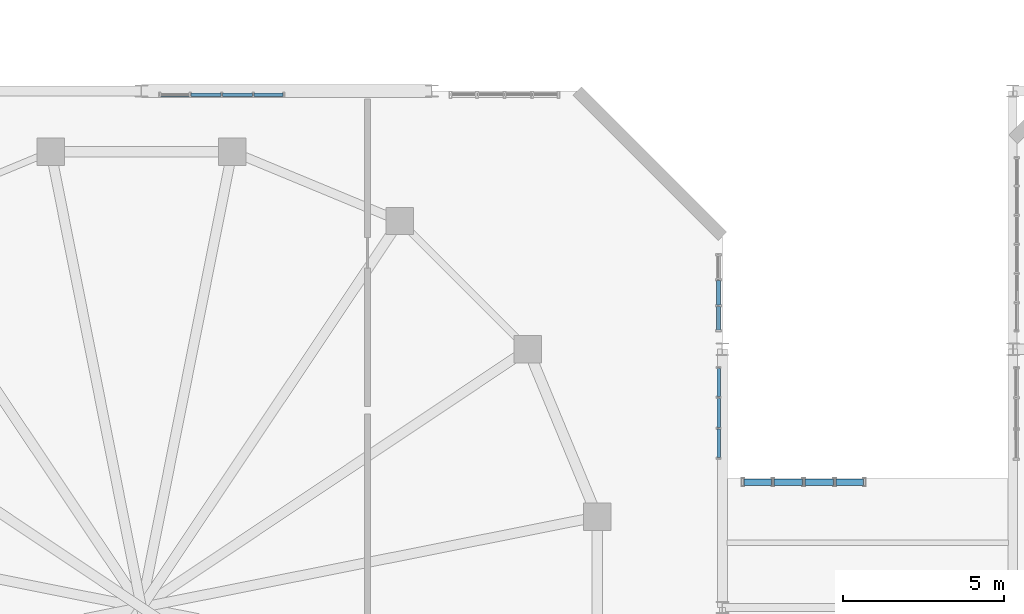
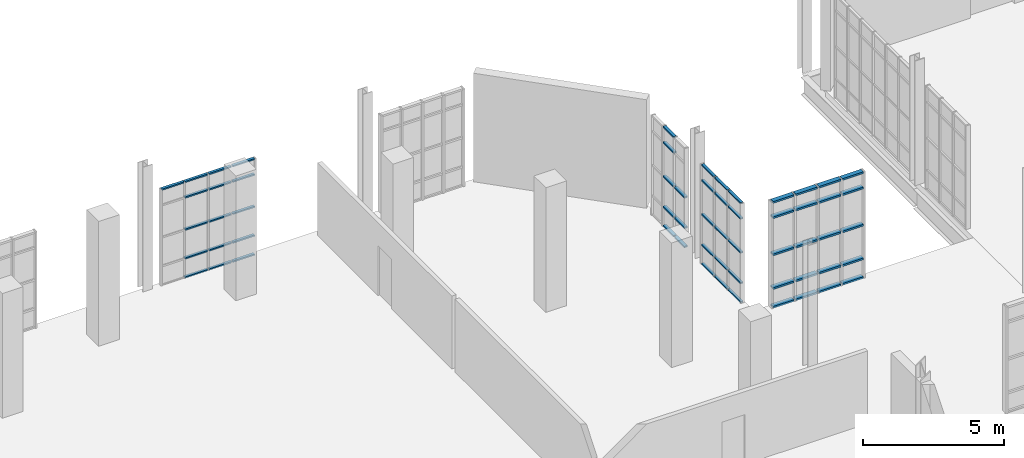
# One storey, part 133 of 189: 59 members, 4 elements without a shape of their own.
"""IFC4 building model written with IfcOpenShell, lengths in metres."""

from ifc_helpers import new_model, si_unit, direction, frame, origin, origin_2d, place, context, subcontext, project, spatial, hollow_rectangle, extrude, material, layer, layer_set, material_profile, profile_set, type_object, element, aggregate, save


model = new_model("IFC4")

# Units and contexts
model_context = context("Model", 3, precision=1e-05, world=origin(), true_north=direction((0.0, 1.0)))
body_context = subcontext(model_context, "Body", "Model", "MODEL_VIEW")
ifc_project = project(units=[si_unit("LENGTHUNIT", "METRE"), si_unit("AREAUNIT", "SQUARE_METRE"), si_unit("VOLUMEUNIT", "CUBIC_METRE"), si_unit("PLANEANGLEUNIT", "RADIAN"), si_unit("MASSUNIT", "GRAM", prefix="KILO"), si_unit("THERMODYNAMICTEMPERATUREUNIT", "KELVIN"), si_unit("POWERUNIT", "WATT")], contexts=[model_context])

# Site, building, storey
site_placement = place(None, origin())
site = spatial("IfcSite", under=ifc_project, at=site_placement, CompositionType="ELEMENT")
building_placement = place(site_placement, origin())
building = spatial("IfcBuilding", under=site, at=building_placement, Name="Zelmaris Science Centre", CompositionType="ELEMENT")
storey_placement = place(building_placement, origin())
storey = spatial("IfcBuildingStorey", under=building, at=storey_placement, Name="L00", CompositionType="ELEMENT", Elevation=0.0)

# Curtain wall, members
ifc_material = material(Name="Anodised architectural aluminium 6063-T6", Category="aluminium")
ifc_layer_1 = layer(ifc_material, 0.219970703125, Name="Anodised architectural aluminium 6063-T6")
ifc_layer_set_1 = layer_set([ifc_layer_1], Name="Anodised architectural aluminium 6063-T6")
curtain_wall_type_1 = type_object("IfcCurtainWallType", Name="Curtain Wall CW-04", PredefinedType="USERDEFINED", material=ifc_layer_set_1)
curtain_wall_1_placement = place(storey_placement, origin())
curtain_wall_1 = element("IfcCurtainWall", 1, at=curtain_wall_1_placement, inside=storey, type_object=curtain_wall_type_1, Name="L00 Unitised curtain wall 20", ObjectType="GLAZED CURTAIN WALL", PredefinedType="USERDEFINED")
ifc_material_profile_1 = material_profile(ifc_material, hollow_rectangle(XDim=0.06005859375, YDim=0.110107421875, WallThickness=0.0029296875, at=origin_2d()), Name="ALU-TRN-60X110")
ifc_profile_set_1 = profile_set([ifc_material_profile_1], Name="Anodised architectural aluminium 6063-T6")
member_type_1 = type_object("IfcMemberType", Name="ALU-TRN-60X110", PredefinedType="USERDEFINED", material=ifc_profile_set_1)
member_1_placement = place(storey_placement, frame((27.592041015625, 87.8798828125, 4.14501953125), z_axis=(1.0, 0.0, 0.0), x_axis=(0.0, 0.0, 1.0)))
member_1 = element("IfcMember", 2, at=member_1_placement, type_object=member_type_1, Name="CW-04 transom 1.5", ObjectType="TRANSOM", PredefinedType="USERDEFINED", context=body_context, shape_type="SweptSolid", body=[
    extrude(hollow_rectangle(XDim=0.06005859375, YDim=0.110107421875, WallThickness=0.0029296875, at=origin_2d()), origin(), (0.0, 0.0, 1.0), 0.89697265625),
])
member_2_placement = place(storey_placement, frame((28.541015625, 87.8798828125, 0.010986328125), z_axis=(1.0, 0.0, 0.0), x_axis=(0.0, 0.0, 1.0)))
member_2 = element("IfcMember", 3, at=member_2_placement, type_object=member_type_1, Name="CW-04 transom 2.1", ObjectType="TRANSOM", PredefinedType="USERDEFINED", context=body_context, shape_type="SweptSolid", body=[
    extrude(hollow_rectangle(XDim=0.06005859375, YDim=0.110107421875, WallThickness=0.0029296875, at=origin_2d()), origin(), (0.0, 0.0, 1.0), 0.923095703125),
])
member_3_placement = place(storey_placement, frame((28.541015625, 87.8798828125, 0.8349609375), z_axis=(1.0, 0.0, 0.0), x_axis=(0.0, 0.0, 1.0)))
member_3 = element("IfcMember", 4, at=member_3_placement, type_object=member_type_1, Name="CW-04 transom 2.2", ObjectType="TRANSOM", PredefinedType="USERDEFINED", context=body_context, shape_type="SweptSolid", body=[
    extrude(hollow_rectangle(XDim=0.06005859375, YDim=0.110107421875, WallThickness=0.0029296875, at=origin_2d()), origin(), (0.0, 0.0, 1.0), 0.923095703125),
])
member_4_placement = place(storey_placement, frame((28.541015625, 87.8798828125, 2.077880859375), z_axis=(1.0, 0.0, 0.0), x_axis=(0.0, 0.0, 1.0)))
member_4 = element("IfcMember", 5, at=member_4_placement, type_object=member_type_1, Name="CW-04 transom 2.3", ObjectType="TRANSOM", PredefinedType="USERDEFINED", context=body_context, shape_type="SweptSolid", body=[
    extrude(hollow_rectangle(XDim=0.06005859375, YDim=0.110107421875, WallThickness=0.0029296875, at=origin_2d()), origin(), (0.0, 0.0, 1.0), 0.923095703125),
])
member_5_placement = place(storey_placement, frame((28.541015625, 87.8798828125, 3.470947265625), z_axis=(1.0, 0.0, 0.0), x_axis=(0.0, 0.0, 1.0)))
member_5 = element("IfcMember", 6, at=member_5_placement, type_object=member_type_1, Name="CW-04 transom 2.4", ObjectType="TRANSOM", PredefinedType="USERDEFINED", context=body_context, shape_type="SweptSolid", body=[
    extrude(hollow_rectangle(XDim=0.06005859375, YDim=0.110107421875, WallThickness=0.0029296875, at=origin_2d()), origin(), (0.0, 0.0, 1.0), 0.923095703125),
])
member_6_placement = place(storey_placement, frame((28.541015625, 87.8798828125, 4.14501953125), z_axis=(1.0, 0.0, 0.0), x_axis=(0.0, 0.0, 1.0)))
member_6 = element("IfcMember", 7, at=member_6_placement, type_object=member_type_1, Name="CW-04 transom 2.5", ObjectType="TRANSOM", PredefinedType="USERDEFINED", context=body_context, shape_type="SweptSolid", body=[
    extrude(hollow_rectangle(XDim=0.06005859375, YDim=0.110107421875, WallThickness=0.0029296875, at=origin_2d()), origin(), (0.0, 0.0, 1.0), 0.923095703125),
])
member_7_placement = place(storey_placement, frame((29.51611328125, 87.8798828125, 0.010986328125), z_axis=(1.0, 0.0, 0.0), x_axis=(0.0, 0.0, 1.0)))
member_7 = element("IfcMember", 8, at=member_7_placement, type_object=member_type_1, Name="CW-04 transom 3.1", ObjectType="TRANSOM", PredefinedType="USERDEFINED", context=body_context, shape_type="SweptSolid", body=[
    extrude(hollow_rectangle(XDim=0.06005859375, YDim=0.110107421875, WallThickness=0.0029296875, at=origin_2d()), origin(), (0.0, 0.0, 1.0), 0.9228515625),
])
member_8_placement = place(storey_placement, frame((29.51611328125, 87.8798828125, 0.8349609375), z_axis=(1.0, 0.0, 0.0), x_axis=(0.0, 0.0, 1.0)))
member_8 = element("IfcMember", 9, at=member_8_placement, type_object=member_type_1, Name="CW-04 transom 3.2", ObjectType="TRANSOM", PredefinedType="USERDEFINED", context=body_context, shape_type="SweptSolid", body=[
    extrude(hollow_rectangle(XDim=0.06005859375, YDim=0.110107421875, WallThickness=0.0029296875, at=origin_2d()), origin(), (0.0, 0.0, 1.0), 0.9228515625),
])
member_9_placement = place(storey_placement, frame((29.51611328125, 87.8798828125, 2.077880859375), z_axis=(1.0, 0.0, 0.0), x_axis=(0.0, 0.0, 1.0)))
member_9 = element("IfcMember", 10, at=member_9_placement, type_object=member_type_1, Name="CW-04 transom 3.3", ObjectType="TRANSOM", PredefinedType="USERDEFINED", context=body_context, shape_type="SweptSolid", body=[
    extrude(hollow_rectangle(XDim=0.06005859375, YDim=0.110107421875, WallThickness=0.0029296875, at=origin_2d()), origin(), (0.0, 0.0, 1.0), 0.9228515625),
])
member_10_placement = place(storey_placement, frame((29.51611328125, 87.8798828125, 3.470947265625), z_axis=(1.0, 0.0, 0.0), x_axis=(0.0, 0.0, 1.0)))
member_10 = element("IfcMember", 11, at=member_10_placement, type_object=member_type_1, Name="CW-04 transom 3.4", ObjectType="TRANSOM", PredefinedType="USERDEFINED", context=body_context, shape_type="SweptSolid", body=[
    extrude(hollow_rectangle(XDim=0.06005859375, YDim=0.110107421875, WallThickness=0.0029296875, at=origin_2d()), origin(), (0.0, 0.0, 1.0), 0.9228515625),
])
member_11_placement = place(storey_placement, frame((29.51611328125, 87.8798828125, 4.14501953125), z_axis=(1.0, 0.0, 0.0), x_axis=(0.0, 0.0, 1.0)))
member_11 = element("IfcMember", 12, at=member_11_placement, type_object=member_type_1, Name="CW-04 transom 3.5", ObjectType="TRANSOM", PredefinedType="USERDEFINED", context=body_context, shape_type="SweptSolid", body=[
    extrude(hollow_rectangle(XDim=0.06005859375, YDim=0.110107421875, WallThickness=0.0029296875, at=origin_2d()), origin(), (0.0, 0.0, 1.0), 0.9228515625),
])
member_12_placement = place(storey_placement, frame((30.490966796875, 87.8798828125, 0.010986328125), z_axis=(1.0, 0.0, 0.0), x_axis=(0.0, 0.0, 1.0)))
member_12 = element("IfcMember", 13, at=member_12_placement, type_object=member_type_1, Name="CW-04 transom 4.1", ObjectType="TRANSOM", PredefinedType="USERDEFINED", context=body_context, shape_type="SweptSolid", body=[
    extrude(hollow_rectangle(XDim=0.06005859375, YDim=0.110107421875, WallThickness=0.0029296875, at=origin_2d()), origin(), (0.0, 0.0, 1.0), 0.89697265625),
])
member_13_placement = place(storey_placement, frame((30.490966796875, 87.8798828125, 0.8349609375), z_axis=(1.0, 0.0, 0.0), x_axis=(0.0, 0.0, 1.0)))
member_13 = element("IfcMember", 14, at=member_13_placement, type_object=member_type_1, Name="CW-04 transom 4.2", ObjectType="TRANSOM", PredefinedType="USERDEFINED", context=body_context, shape_type="SweptSolid", body=[
    extrude(hollow_rectangle(XDim=0.06005859375, YDim=0.110107421875, WallThickness=0.0029296875, at=origin_2d()), origin(), (0.0, 0.0, 1.0), 0.89697265625),
])
member_14_placement = place(storey_placement, frame((30.490966796875, 87.8798828125, 2.077880859375), z_axis=(1.0, 0.0, 0.0), x_axis=(0.0, 0.0, 1.0)))
member_14 = element("IfcMember", 15, at=member_14_placement, type_object=member_type_1, Name="CW-04 transom 4.3", ObjectType="TRANSOM", PredefinedType="USERDEFINED", context=body_context, shape_type="SweptSolid", body=[
    extrude(hollow_rectangle(XDim=0.06005859375, YDim=0.110107421875, WallThickness=0.0029296875, at=origin_2d()), origin(), (0.0, 0.0, 1.0), 0.89697265625),
])
member_15_placement = place(storey_placement, frame((30.490966796875, 87.8798828125, 3.470947265625), z_axis=(1.0, 0.0, 0.0), x_axis=(0.0, 0.0, 1.0)))
member_15 = element("IfcMember", 16, at=member_15_placement, type_object=member_type_1, Name="CW-04 transom 4.4", ObjectType="TRANSOM", PredefinedType="USERDEFINED", context=body_context, shape_type="SweptSolid", body=[
    extrude(hollow_rectangle(XDim=0.06005859375, YDim=0.110107421875, WallThickness=0.0029296875, at=origin_2d()), origin(), (0.0, 0.0, 1.0), 0.89697265625),
])
member_16_placement = place(storey_placement, frame((30.490966796875, 87.8798828125, 4.14501953125), z_axis=(1.0, 0.0, 0.0), x_axis=(0.0, 0.0, 1.0)))
member_16 = element("IfcMember", 17, at=member_16_placement, type_object=member_type_1, Name="CW-04 transom 4.5", ObjectType="TRANSOM", PredefinedType="USERDEFINED", context=body_context, shape_type="SweptSolid", body=[
    extrude(hollow_rectangle(XDim=0.06005859375, YDim=0.110107421875, WallThickness=0.0029296875, at=origin_2d()), origin(), (0.0, 0.0, 1.0), 0.89697265625),
])
aggregate(curtain_wall_1, [member_1, member_2, member_3, member_4, member_5, member_6, member_7, member_8, member_9, member_10, member_11, member_12, member_13, member_14, member_15, member_16])

curtain_wall_2_placement = place(storey_placement, origin())
curtain_wall_2 = element("IfcCurtainWall", 18, at=curtain_wall_2_placement, inside=storey, type_object=curtain_wall_type_1, Name="L00 Unitised curtain wall 24", ObjectType="GLAZED CURTAIN WALL", PredefinedType="USERDEFINED")
member_17_placement = place(storey_placement, frame((44.8798828125, 79.407958984375, 0.010986328125), z_axis=(0.0, -1.0, 0.0), x_axis=(0.0, 0.0, 1.0)))
member_17 = element("IfcMember", 19, at=member_17_placement, type_object=member_type_1, Name="CW-04 transom 1.1", ObjectType="TRANSOM", PredefinedType="USERDEFINED", context=body_context, shape_type="SweptSolid", body=[
    extrude(hollow_rectangle(XDim=0.06005859375, YDim=0.110107421875, WallThickness=0.0029296875, at=origin_2d()), origin(), (0.0, 0.0, 1.0), 0.875244140625),
])
member_18_placement = place(storey_placement, frame((44.8798828125, 79.407958984375, 0.8349609375), z_axis=(0.0, -1.0, 0.0), x_axis=(0.0, 0.0, 1.0)))
member_18 = element("IfcMember", 20, at=member_18_placement, type_object=member_type_1, Name="CW-04 transom 1.2", ObjectType="TRANSOM", PredefinedType="USERDEFINED", context=body_context, shape_type="SweptSolid", body=[
    extrude(hollow_rectangle(XDim=0.06005859375, YDim=0.110107421875, WallThickness=0.0029296875, at=origin_2d()), origin(), (0.0, 0.0, 1.0), 0.875244140625),
])
member_19_placement = place(storey_placement, frame((44.8798828125, 79.407958984375, 2.154052734375), z_axis=(0.0, -1.0, 0.0), x_axis=(0.0, 0.0, 1.0)))
member_19 = element("IfcMember", 21, at=member_19_placement, type_object=member_type_1, Name="CW-04 transom 1.3", ObjectType="TRANSOM", PredefinedType="USERDEFINED", context=body_context, shape_type="SweptSolid", body=[
    extrude(hollow_rectangle(XDim=0.06005859375, YDim=0.110107421875, WallThickness=0.0029296875, at=origin_2d()), origin(), (0.0, 0.0, 1.0), 0.875244140625),
])
member_20_placement = place(storey_placement, frame((44.8798828125, 79.407958984375, 3.623046875), z_axis=(0.0, -1.0, 0.0), x_axis=(0.0, 0.0, 1.0)))
member_20 = element("IfcMember", 22, at=member_20_placement, type_object=member_type_1, Name="CW-04 transom 1.4", ObjectType="TRANSOM", PredefinedType="USERDEFINED", context=body_context, shape_type="SweptSolid", body=[
    extrude(hollow_rectangle(XDim=0.06005859375, YDim=0.110107421875, WallThickness=0.0029296875, at=origin_2d()), origin(), (0.0, 0.0, 1.0), 0.875244140625),
])
member_21_placement = place(storey_placement, frame((44.8798828125, 79.407958984375, 4.297119140625), z_axis=(0.0, -1.0, 0.0), x_axis=(0.0, 0.0, 1.0)))
member_21 = element("IfcMember", 23, at=member_21_placement, type_object=member_type_1, Name="CW-04 transom 1.5", ObjectType="TRANSOM", PredefinedType="USERDEFINED", context=body_context, shape_type="SweptSolid", body=[
    extrude(hollow_rectangle(XDim=0.06005859375, YDim=0.110107421875, WallThickness=0.0029296875, at=origin_2d()), origin(), (0.0, 0.0, 1.0), 0.875244140625),
])
member_22_placement = place(storey_placement, frame((44.8798828125, 78.480712890625, 0.010986328125), z_axis=(0.0, -1.0, 0.0), x_axis=(0.0, 0.0, 1.0)))
member_22 = element("IfcMember", 24, at=member_22_placement, type_object=member_type_1, Name="CW-04 transom 2.1", ObjectType="TRANSOM", PredefinedType="USERDEFINED", context=body_context, shape_type="SweptSolid", body=[
    extrude(hollow_rectangle(XDim=0.06005859375, YDim=0.110107421875, WallThickness=0.0029296875, at=origin_2d()), origin(), (0.0, 0.0, 1.0), 0.9013671875),
])
member_23_placement = place(storey_placement, frame((44.8798828125, 78.480712890625, 0.8349609375), z_axis=(0.0, -1.0, 0.0), x_axis=(0.0, 0.0, 1.0)))
member_23 = element("IfcMember", 25, at=member_23_placement, type_object=member_type_1, Name="CW-04 transom 2.2", ObjectType="TRANSOM", PredefinedType="USERDEFINED", context=body_context, shape_type="SweptSolid", body=[
    extrude(hollow_rectangle(XDim=0.06005859375, YDim=0.110107421875, WallThickness=0.0029296875, at=origin_2d()), origin(), (0.0, 0.0, 1.0), 0.9013671875),
])
member_24_placement = place(storey_placement, frame((44.8798828125, 78.480712890625, 2.154052734375), z_axis=(0.0, -1.0, 0.0), x_axis=(0.0, 0.0, 1.0)))
member_24 = element("IfcMember", 26, at=member_24_placement, type_object=member_type_1, Name="CW-04 transom 2.3", ObjectType="TRANSOM", PredefinedType="USERDEFINED", context=body_context, shape_type="SweptSolid", body=[
    extrude(hollow_rectangle(XDim=0.06005859375, YDim=0.110107421875, WallThickness=0.0029296875, at=origin_2d()), origin(), (0.0, 0.0, 1.0), 0.9013671875),
])
member_25_placement = place(storey_placement, frame((44.8798828125, 78.480712890625, 3.623046875), z_axis=(0.0, -1.0, 0.0), x_axis=(0.0, 0.0, 1.0)))
member_25 = element("IfcMember", 27, at=member_25_placement, type_object=member_type_1, Name="CW-04 transom 2.4", ObjectType="TRANSOM", PredefinedType="USERDEFINED", context=body_context, shape_type="SweptSolid", body=[
    extrude(hollow_rectangle(XDim=0.06005859375, YDim=0.110107421875, WallThickness=0.0029296875, at=origin_2d()), origin(), (0.0, 0.0, 1.0), 0.9013671875),
])
member_26_placement = place(storey_placement, frame((44.8798828125, 78.480712890625, 4.297119140625), z_axis=(0.0, -1.0, 0.0), x_axis=(0.0, 0.0, 1.0)))
member_26 = element("IfcMember", 28, at=member_26_placement, type_object=member_type_1, Name="CW-04 transom 2.5", ObjectType="TRANSOM", PredefinedType="USERDEFINED", context=body_context, shape_type="SweptSolid", body=[
    extrude(hollow_rectangle(XDim=0.06005859375, YDim=0.110107421875, WallThickness=0.0029296875, at=origin_2d()), origin(), (0.0, 0.0, 1.0), 0.9013671875),
])
member_27_placement = place(storey_placement, frame((44.8798828125, 77.52734375, 0.010986328125), z_axis=(0.0, -1.0, 0.0), x_axis=(0.0, 0.0, 1.0)))
member_27 = element("IfcMember", 29, at=member_27_placement, type_object=member_type_1, Name="CW-04 transom 3.1", ObjectType="TRANSOM", PredefinedType="USERDEFINED", context=body_context, shape_type="SweptSolid", body=[
    extrude(hollow_rectangle(XDim=0.06005859375, YDim=0.110107421875, WallThickness=0.0029296875, at=origin_2d()), origin(), (0.0, 0.0, 1.0), 0.875244140625),
])
member_28_placement = place(storey_placement, frame((44.8798828125, 77.52734375, 0.8349609375), z_axis=(0.0, -1.0, 0.0), x_axis=(0.0, 0.0, 1.0)))
member_28 = element("IfcMember", 30, at=member_28_placement, type_object=member_type_1, Name="CW-04 transom 3.2", ObjectType="TRANSOM", PredefinedType="USERDEFINED", context=body_context, shape_type="SweptSolid", body=[
    extrude(hollow_rectangle(XDim=0.06005859375, YDim=0.110107421875, WallThickness=0.0029296875, at=origin_2d()), origin(), (0.0, 0.0, 1.0), 0.875244140625),
])
member_29_placement = place(storey_placement, frame((44.8798828125, 77.52734375, 2.154052734375), z_axis=(0.0, -1.0, 0.0), x_axis=(0.0, 0.0, 1.0)))
member_29 = element("IfcMember", 31, at=member_29_placement, type_object=member_type_1, Name="CW-04 transom 3.3", ObjectType="TRANSOM", PredefinedType="USERDEFINED", context=body_context, shape_type="SweptSolid", body=[
    extrude(hollow_rectangle(XDim=0.06005859375, YDim=0.110107421875, WallThickness=0.0029296875, at=origin_2d()), origin(), (0.0, 0.0, 1.0), 0.875244140625),
])
member_30_placement = place(storey_placement, frame((44.8798828125, 77.52734375, 3.623046875), z_axis=(0.0, -1.0, 0.0), x_axis=(0.0, 0.0, 1.0)))
member_30 = element("IfcMember", 32, at=member_30_placement, type_object=member_type_1, Name="CW-04 transom 3.4", ObjectType="TRANSOM", PredefinedType="USERDEFINED", context=body_context, shape_type="SweptSolid", body=[
    extrude(hollow_rectangle(XDim=0.06005859375, YDim=0.110107421875, WallThickness=0.0029296875, at=origin_2d()), origin(), (0.0, 0.0, 1.0), 0.875244140625),
])
member_31_placement = place(storey_placement, frame((44.8798828125, 77.52734375, 4.297119140625), z_axis=(0.0, -1.0, 0.0), x_axis=(0.0, 0.0, 1.0)))
member_31 = element("IfcMember", 33, at=member_31_placement, type_object=member_type_1, Name="CW-04 transom 3.5", ObjectType="TRANSOM", PredefinedType="USERDEFINED", context=body_context, shape_type="SweptSolid", body=[
    extrude(hollow_rectangle(XDim=0.06005859375, YDim=0.110107421875, WallThickness=0.0029296875, at=origin_2d()), origin(), (0.0, 0.0, 1.0), 0.875244140625),
])
aggregate(curtain_wall_2, [member_17, member_18, member_19, member_20, member_21, member_22, member_23, member_24, member_25, member_26, member_27, member_28, member_29, member_30, member_31])

ifc_layer_2 = layer(ifc_material, 0.2099609375, Name="Anodised architectural aluminium 6063-T6")
ifc_layer_set_2 = layer_set([ifc_layer_2], Name="Anodised architectural aluminium 6063-T6")
curtain_wall_type_2 = type_object("IfcCurtainWallType", Name="Curtain Wall CW-03", PredefinedType="USERDEFINED", material=ifc_layer_set_2)
curtain_wall_3_placement = place(storey_placement, origin())
curtain_wall_3 = element("IfcCurtainWall", 34, at=curtain_wall_3_placement, inside=storey, type_object=curtain_wall_type_2, Name="L00 Unitised curtain wall 23", ObjectType="GLAZED CURTAIN WALL", PredefinedType="USERDEFINED")
ifc_material_profile_2 = material_profile(ifc_material, hollow_rectangle(XDim=0.06494140625, YDim=0.1298828125, WallThickness=0.00341796875, at=origin_2d()), Name="ALU-TRN-65X130")
ifc_profile_set_2 = profile_set([ifc_material_profile_2], Name="Anodised architectural aluminium 6063-T6")
member_type_2 = type_object("IfcMemberType", Name="ALU-TRN-65X130", PredefinedType="USERDEFINED", material=ifc_profile_set_2)
member_32_placement = place(storey_placement, frame((44.8798828125, 82.124755859375, 0.013427734375), z_axis=(0.0, -1.0, 0.0), x_axis=(0.0, 0.0, 1.0)))
member_32 = element("IfcMember", 35, at=member_32_placement, type_object=member_type_2, Name="CW-03 transom 2.1", ObjectType="TRANSOM", PredefinedType="USERDEFINED", context=body_context, shape_type="SweptSolid", body=[
    extrude(hollow_rectangle(XDim=0.06494140625, YDim=0.1298828125, WallThickness=0.00341796875, at=origin_2d()), origin(), (0.0, 0.0, 1.0), 0.74951171875),
])
member_33_placement = place(storey_placement, frame((44.8798828125, 82.124755859375, 0.8349609375), z_axis=(0.0, -1.0, 0.0), x_axis=(0.0, 0.0, 1.0)))
member_33 = element("IfcMember", 36, at=member_33_placement, type_object=member_type_2, Name="CW-03 transom 2.2", ObjectType="TRANSOM", PredefinedType="USERDEFINED", context=body_context, shape_type="SweptSolid", body=[
    extrude(hollow_rectangle(XDim=0.06494140625, YDim=0.1298828125, WallThickness=0.00341796875, at=origin_2d()), origin(), (0.0, 0.0, 1.0), 0.74951171875),
])
member_34_placement = place(storey_placement, frame((44.8798828125, 82.124755859375, 2.154052734375), z_axis=(0.0, -1.0, 0.0), x_axis=(0.0, 0.0, 1.0)))
member_34 = element("IfcMember", 37, at=member_34_placement, type_object=member_type_2, Name="CW-03 transom 2.3", ObjectType="TRANSOM", PredefinedType="USERDEFINED", context=body_context, shape_type="SweptSolid", body=[
    extrude(hollow_rectangle(XDim=0.06494140625, YDim=0.1298828125, WallThickness=0.00341796875, at=origin_2d()), origin(), (0.0, 0.0, 1.0), 0.74951171875),
])
member_35_placement = place(storey_placement, frame((44.8798828125, 82.124755859375, 3.623046875), z_axis=(0.0, -1.0, 0.0), x_axis=(0.0, 0.0, 1.0)))
member_35 = element("IfcMember", 38, at=member_35_placement, type_object=member_type_2, Name="CW-03 transom 2.4", ObjectType="TRANSOM", PredefinedType="USERDEFINED", context=body_context, shape_type="SweptSolid", body=[
    extrude(hollow_rectangle(XDim=0.06494140625, YDim=0.1298828125, WallThickness=0.00341796875, at=origin_2d()), origin(), (0.0, 0.0, 1.0), 0.74951171875),
])
member_36_placement = place(storey_placement, frame((44.8798828125, 82.124755859375, 4.29443359375), z_axis=(0.0, -1.0, 0.0), x_axis=(0.0, 0.0, 1.0)))
member_36 = element("IfcMember", 39, at=member_36_placement, type_object=member_type_2, Name="CW-03 transom 2.5", ObjectType="TRANSOM", PredefinedType="USERDEFINED", context=body_context, shape_type="SweptSolid", body=[
    extrude(hollow_rectangle(XDim=0.06494140625, YDim=0.1298828125, WallThickness=0.00341796875, at=origin_2d()), origin(), (0.0, 0.0, 1.0), 0.74951171875),
])
member_37_placement = place(storey_placement, frame((44.8798828125, 81.318115234375, 0.013427734375), z_axis=(0.0, -1.0, 0.0), x_axis=(0.0, 0.0, 1.0)))
member_37 = element("IfcMember", 40, at=member_37_placement, type_object=member_type_2, Name="CW-03 transom 3.1", ObjectType="TRANSOM", PredefinedType="USERDEFINED", context=body_context, shape_type="SweptSolid", body=[
    extrude(hollow_rectangle(XDim=0.06494140625, YDim=0.1298828125, WallThickness=0.00341796875, at=origin_2d()), origin(), (0.0, 0.0, 1.0), 0.72119140625),
])
member_38_placement = place(storey_placement, frame((44.8798828125, 81.318115234375, 0.8349609375), z_axis=(0.0, -1.0, 0.0), x_axis=(0.0, 0.0, 1.0)))
member_38 = element("IfcMember", 41, at=member_38_placement, type_object=member_type_2, Name="CW-03 transom 3.2", ObjectType="TRANSOM", PredefinedType="USERDEFINED", context=body_context, shape_type="SweptSolid", body=[
    extrude(hollow_rectangle(XDim=0.06494140625, YDim=0.1298828125, WallThickness=0.00341796875, at=origin_2d()), origin(), (0.0, 0.0, 1.0), 0.72119140625),
])
member_39_placement = place(storey_placement, frame((44.8798828125, 81.318115234375, 2.154052734375), z_axis=(0.0, -1.0, 0.0), x_axis=(0.0, 0.0, 1.0)))
member_39 = element("IfcMember", 42, at=member_39_placement, type_object=member_type_2, Name="CW-03 transom 3.3", ObjectType="TRANSOM", PredefinedType="USERDEFINED", context=body_context, shape_type="SweptSolid", body=[
    extrude(hollow_rectangle(XDim=0.06494140625, YDim=0.1298828125, WallThickness=0.00341796875, at=origin_2d()), origin(), (0.0, 0.0, 1.0), 0.72119140625),
])
aggregate(curtain_wall_3, [member_32, member_33, member_34, member_35, member_36, member_37, member_38, member_39])

ifc_layer_3 = layer(ifc_material, 0.18994140625, Name="Anodised architectural aluminium 6063-T6")
ifc_layer_set_3 = layer_set([ifc_layer_3], Name="Anodised architectural aluminium 6063-T6")
curtain_wall_type_3 = type_object("IfcCurtainWallType", Name="Curtain Wall CW-01", PredefinedType="USERDEFINED", material=ifc_layer_set_3)
curtain_wall_4_placement = place(storey_placement, origin())
curtain_wall_4 = element("IfcCurtainWall", 43, at=curtain_wall_4_placement, inside=storey, type_object=curtain_wall_type_3, Name="L00 Unitised curtain wall 25", ObjectType="GLAZED CURTAIN WALL", PredefinedType="USERDEFINED")
ifc_material_profile_3 = material_profile(ifc_material, hollow_rectangle(XDim=0.080078125, YDim=0.18994140625, WallThickness=0.00439453125, at=origin_2d()), Name="ALU-TRN-80X190")
ifc_profile_set_3 = profile_set([ifc_material_profile_3], Name="Anodised architectural aluminium 6063-T6")
member_type_3 = type_object("IfcMemberType", Name="ALU-TRN-80X190", PredefinedType="USERDEFINED", material=ifc_profile_set_3)
member_40_placement = place(storey_placement, frame((45.672119140625, 75.8798828125, 0.02099609375), z_axis=(1.0, 0.0, 0.0), x_axis=(0.0, 0.0, 1.0)))
member_40 = element("IfcMember", 44, at=member_40_placement, type_object=member_type_3, Name="CW-01 transom 1.1", ObjectType="TRANSOM", PredefinedType="USERDEFINED", context=body_context, shape_type="SweptSolid", body=[
    extrude(hollow_rectangle(XDim=0.080078125, YDim=0.18994140625, WallThickness=0.00439453125, at=origin_2d()), origin(), (0.0, 0.0, 1.0), 0.851806640625),
])
member_41_placement = place(storey_placement, frame((45.672119140625, 75.8798828125, 0.8349609375), z_axis=(1.0, 0.0, 0.0), x_axis=(0.0, 0.0, 1.0)))
member_41 = element("IfcMember", 45, at=member_41_placement, type_object=member_type_3, Name="CW-01 transom 1.2", ObjectType="TRANSOM", PredefinedType="USERDEFINED", context=body_context, shape_type="SweptSolid", body=[
    extrude(hollow_rectangle(XDim=0.080078125, YDim=0.18994140625, WallThickness=0.00439453125, at=origin_2d()), origin(), (0.0, 0.0, 1.0), 0.851806640625),
])
member_42_placement = place(storey_placement, frame((45.672119140625, 75.8798828125, 2.29248046875), z_axis=(1.0, 0.0, 0.0), x_axis=(0.0, 0.0, 1.0)))
member_42 = element("IfcMember", 46, at=member_42_placement, type_object=member_type_3, Name="CW-01 transom 1.3", ObjectType="TRANSOM", PredefinedType="USERDEFINED", context=body_context, shape_type="SweptSolid", body=[
    extrude(hollow_rectangle(XDim=0.080078125, YDim=0.18994140625, WallThickness=0.00439453125, at=origin_2d()), origin(), (0.0, 0.0, 1.0), 0.851806640625),
])
member_43_placement = place(storey_placement, frame((45.672119140625, 75.8798828125, 3.89990234375), z_axis=(1.0, 0.0, 0.0), x_axis=(0.0, 0.0, 1.0)))
member_43 = element("IfcMember", 47, at=member_43_placement, type_object=member_type_3, Name="CW-01 transom 1.4", ObjectType="TRANSOM", PredefinedType="USERDEFINED", context=body_context, shape_type="SweptSolid", body=[
    extrude(hollow_rectangle(XDim=0.080078125, YDim=0.18994140625, WallThickness=0.00439453125, at=origin_2d()), origin(), (0.0, 0.0, 1.0), 0.851806640625),
])
member_44_placement = place(storey_placement, frame((45.672119140625, 75.8798828125, 4.56396484375), z_axis=(1.0, 0.0, 0.0), x_axis=(0.0, 0.0, 1.0)))
member_44 = element("IfcMember", 48, at=member_44_placement, type_object=member_type_3, Name="CW-01 transom 1.5", ObjectType="TRANSOM", PredefinedType="USERDEFINED", context=body_context, shape_type="SweptSolid", body=[
    extrude(hollow_rectangle(XDim=0.080078125, YDim=0.18994140625, WallThickness=0.00439453125, at=origin_2d()), origin(), (0.0, 0.0, 1.0), 0.851806640625),
])
member_45_placement = place(storey_placement, frame((46.595947265625, 75.8798828125, 0.02099609375), z_axis=(1.0, 0.0, 0.0), x_axis=(0.0, 0.0, 1.0)))
member_45 = element("IfcMember", 49, at=member_45_placement, type_object=member_type_3, Name="CW-01 transom 2.1", ObjectType="TRANSOM", PredefinedType="USERDEFINED", context=body_context, shape_type="SweptSolid", body=[
    extrude(hollow_rectangle(XDim=0.080078125, YDim=0.18994140625, WallThickness=0.00439453125, at=origin_2d()), origin(), (0.0, 0.0, 1.0), 0.887939453125),
])
member_46_placement = place(storey_placement, frame((46.595947265625, 75.8798828125, 0.8349609375), z_axis=(1.0, 0.0, 0.0), x_axis=(0.0, 0.0, 1.0)))
member_46 = element("IfcMember", 50, at=member_46_placement, type_object=member_type_3, Name="CW-01 transom 2.2", ObjectType="TRANSOM", PredefinedType="USERDEFINED", context=body_context, shape_type="SweptSolid", body=[
    extrude(hollow_rectangle(XDim=0.080078125, YDim=0.18994140625, WallThickness=0.00439453125, at=origin_2d()), origin(), (0.0, 0.0, 1.0), 0.887939453125),
])
member_47_placement = place(storey_placement, frame((46.595947265625, 75.8798828125, 2.29248046875), z_axis=(1.0, 0.0, 0.0), x_axis=(0.0, 0.0, 1.0)))
member_47 = element("IfcMember", 51, at=member_47_placement, type_object=member_type_3, Name="CW-01 transom 2.3", ObjectType="TRANSOM", PredefinedType="USERDEFINED", context=body_context, shape_type="SweptSolid", body=[
    extrude(hollow_rectangle(XDim=0.080078125, YDim=0.18994140625, WallThickness=0.00439453125, at=origin_2d()), origin(), (0.0, 0.0, 1.0), 0.887939453125),
])
member_48_placement = place(storey_placement, frame((46.595947265625, 75.8798828125, 3.89990234375), z_axis=(1.0, 0.0, 0.0), x_axis=(0.0, 0.0, 1.0)))
member_48 = element("IfcMember", 52, at=member_48_placement, type_object=member_type_3, Name="CW-01 transom 2.4", ObjectType="TRANSOM", PredefinedType="USERDEFINED", context=body_context, shape_type="SweptSolid", body=[
    extrude(hollow_rectangle(XDim=0.080078125, YDim=0.18994140625, WallThickness=0.00439453125, at=origin_2d()), origin(), (0.0, 0.0, 1.0), 0.887939453125),
])
member_49_placement = place(storey_placement, frame((46.595947265625, 75.8798828125, 4.56396484375), z_axis=(1.0, 0.0, 0.0), x_axis=(0.0, 0.0, 1.0)))
member_49 = element("IfcMember", 53, at=member_49_placement, type_object=member_type_3, Name="CW-01 transom 2.5", ObjectType="TRANSOM", PredefinedType="USERDEFINED", context=body_context, shape_type="SweptSolid", body=[
    extrude(hollow_rectangle(XDim=0.080078125, YDim=0.18994140625, WallThickness=0.00439453125, at=origin_2d()), origin(), (0.0, 0.0, 1.0), 0.887939453125),
])
member_50_placement = place(storey_placement, frame((47.555908203125, 75.8798828125, 0.02099609375), z_axis=(1.0, 0.0, 0.0), x_axis=(0.0, 0.0, 1.0)))
member_50 = element("IfcMember", 54, at=member_50_placement, type_object=member_type_3, Name="CW-01 transom 3.1", ObjectType="TRANSOM", PredefinedType="USERDEFINED", context=body_context, shape_type="SweptSolid", body=[
    extrude(hollow_rectangle(XDim=0.080078125, YDim=0.18994140625, WallThickness=0.00439453125, at=origin_2d()), origin(), (0.0, 0.0, 1.0), 0.88818359375),
])
member_51_placement = place(storey_placement, frame((47.555908203125, 75.8798828125, 0.8349609375), z_axis=(1.0, 0.0, 0.0), x_axis=(0.0, 0.0, 1.0)))
member_51 = element("IfcMember", 55, at=member_51_placement, type_object=member_type_3, Name="CW-01 transom 3.2", ObjectType="TRANSOM", PredefinedType="USERDEFINED", context=body_context, shape_type="SweptSolid", body=[
    extrude(hollow_rectangle(XDim=0.080078125, YDim=0.18994140625, WallThickness=0.00439453125, at=origin_2d()), origin(), (0.0, 0.0, 1.0), 0.88818359375),
])
member_52_placement = place(storey_placement, frame((47.555908203125, 75.8798828125, 2.29248046875), z_axis=(1.0, 0.0, 0.0), x_axis=(0.0, 0.0, 1.0)))
member_52 = element("IfcMember", 56, at=member_52_placement, type_object=member_type_3, Name="CW-01 transom 3.3", ObjectType="TRANSOM", PredefinedType="USERDEFINED", context=body_context, shape_type="SweptSolid", body=[
    extrude(hollow_rectangle(XDim=0.080078125, YDim=0.18994140625, WallThickness=0.00439453125, at=origin_2d()), origin(), (0.0, 0.0, 1.0), 0.88818359375),
])
member_53_placement = place(storey_placement, frame((47.555908203125, 75.8798828125, 3.89990234375), z_axis=(1.0, 0.0, 0.0), x_axis=(0.0, 0.0, 1.0)))
member_53 = element("IfcMember", 57, at=member_53_placement, type_object=member_type_3, Name="CW-01 transom 3.4", ObjectType="TRANSOM", PredefinedType="USERDEFINED", context=body_context, shape_type="SweptSolid", body=[
    extrude(hollow_rectangle(XDim=0.080078125, YDim=0.18994140625, WallThickness=0.00439453125, at=origin_2d()), origin(), (0.0, 0.0, 1.0), 0.88818359375),
])
member_54_placement = place(storey_placement, frame((47.555908203125, 75.8798828125, 4.56396484375), z_axis=(1.0, 0.0, 0.0), x_axis=(0.0, 0.0, 1.0)))
member_54 = element("IfcMember", 58, at=member_54_placement, type_object=member_type_3, Name="CW-01 transom 3.5", ObjectType="TRANSOM", PredefinedType="USERDEFINED", context=body_context, shape_type="SweptSolid", body=[
    extrude(hollow_rectangle(XDim=0.080078125, YDim=0.18994140625, WallThickness=0.00439453125, at=origin_2d()), origin(), (0.0, 0.0, 1.0), 0.88818359375),
])
member_55_placement = place(storey_placement, frame((48.51611328125, 75.8798828125, 0.02099609375), z_axis=(1.0, 0.0, 0.0), x_axis=(0.0, 0.0, 1.0)))
member_55 = element("IfcMember", 59, at=member_55_placement, type_object=member_type_3, Name="CW-01 transom 4.1", ObjectType="TRANSOM", PredefinedType="USERDEFINED", context=body_context, shape_type="SweptSolid", body=[
    extrude(hollow_rectangle(XDim=0.080078125, YDim=0.18994140625, WallThickness=0.00439453125, at=origin_2d()), origin(), (0.0, 0.0, 1.0), 0.851806640625),
])
member_56_placement = place(storey_placement, frame((48.51611328125, 75.8798828125, 0.8349609375), z_axis=(1.0, 0.0, 0.0), x_axis=(0.0, 0.0, 1.0)))
member_56 = element("IfcMember", 60, at=member_56_placement, type_object=member_type_3, Name="CW-01 transom 4.2", ObjectType="TRANSOM", PredefinedType="USERDEFINED", context=body_context, shape_type="SweptSolid", body=[
    extrude(hollow_rectangle(XDim=0.080078125, YDim=0.18994140625, WallThickness=0.00439453125, at=origin_2d()), origin(), (0.0, 0.0, 1.0), 0.851806640625),
])
member_57_placement = place(storey_placement, frame((48.51611328125, 75.8798828125, 2.29248046875), z_axis=(1.0, 0.0, 0.0), x_axis=(0.0, 0.0, 1.0)))
member_57 = element("IfcMember", 61, at=member_57_placement, type_object=member_type_3, Name="CW-01 transom 4.3", ObjectType="TRANSOM", PredefinedType="USERDEFINED", context=body_context, shape_type="SweptSolid", body=[
    extrude(hollow_rectangle(XDim=0.080078125, YDim=0.18994140625, WallThickness=0.00439453125, at=origin_2d()), origin(), (0.0, 0.0, 1.0), 0.851806640625),
])
member_58_placement = place(storey_placement, frame((48.51611328125, 75.8798828125, 3.89990234375), z_axis=(1.0, 0.0, 0.0), x_axis=(0.0, 0.0, 1.0)))
member_58 = element("IfcMember", 62, at=member_58_placement, type_object=member_type_3, Name="CW-01 transom 4.4", ObjectType="TRANSOM", PredefinedType="USERDEFINED", context=body_context, shape_type="SweptSolid", body=[
    extrude(hollow_rectangle(XDim=0.080078125, YDim=0.18994140625, WallThickness=0.00439453125, at=origin_2d()), origin(), (0.0, 0.0, 1.0), 0.851806640625),
])
member_59_placement = place(storey_placement, frame((48.51611328125, 75.8798828125, 4.56396484375), z_axis=(1.0, 0.0, 0.0), x_axis=(0.0, 0.0, 1.0)))
member_59 = element("IfcMember", 63, at=member_59_placement, type_object=member_type_3, Name="CW-01 transom 4.5", ObjectType="TRANSOM", PredefinedType="USERDEFINED", context=body_context, shape_type="SweptSolid", body=[
    extrude(hollow_rectangle(XDim=0.080078125, YDim=0.18994140625, WallThickness=0.00439453125, at=origin_2d()), origin(), (0.0, 0.0, 1.0), 0.851806640625),
])
aggregate(curtain_wall_4, [member_40, member_41, member_42, member_43, member_44, member_45, member_46, member_47, member_48, member_49, member_50, member_51, member_52, member_53, member_54, member_55, member_56, member_57, member_58, member_59])

save(model, "model.ifc")
